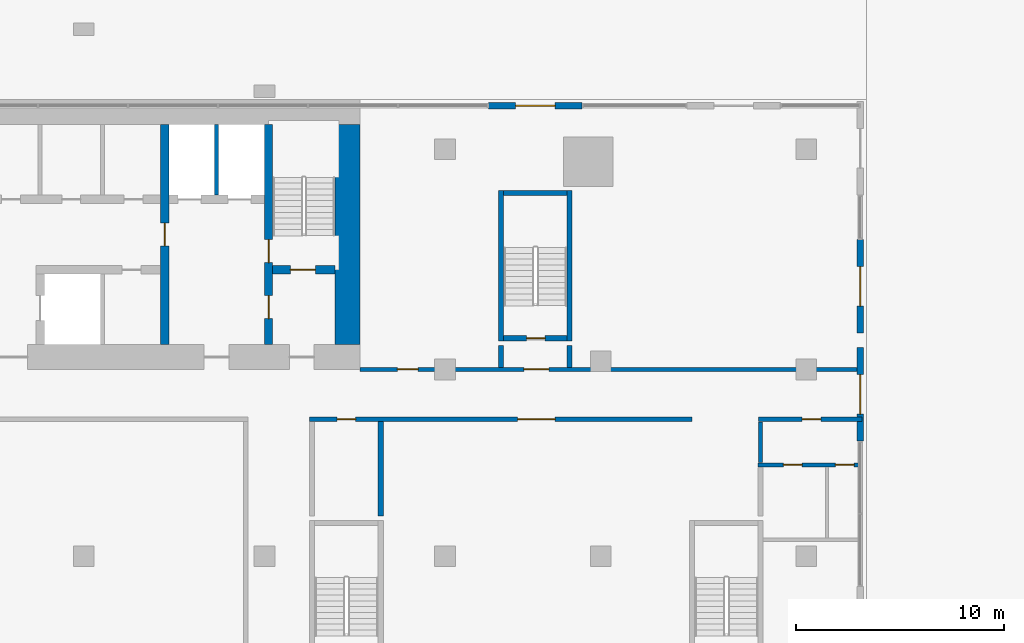
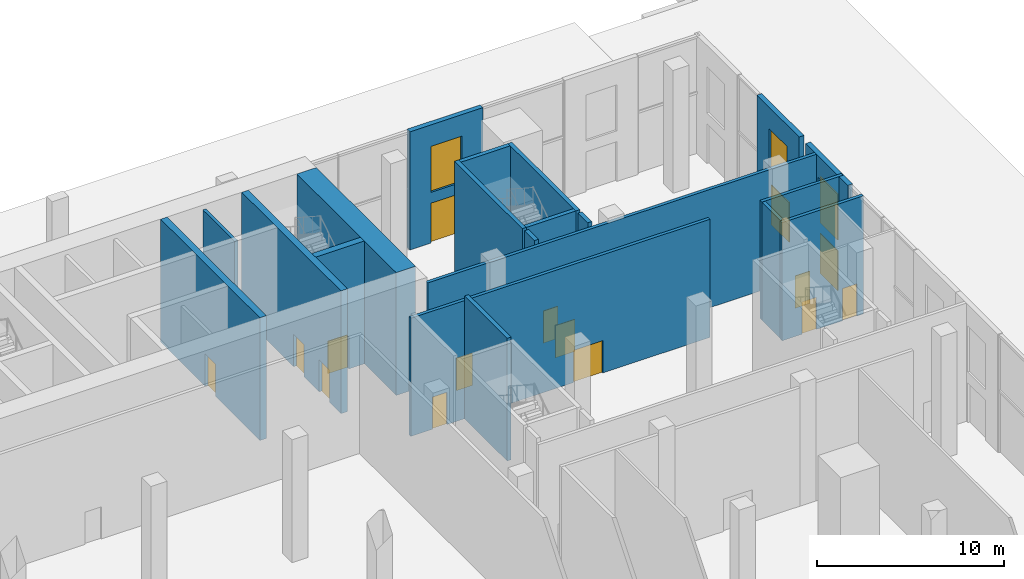
# One storey, part 26 of 31: 20 walls, 15 doors, 3 windows, 18 openings.
"""IFC4 building model written with IfcOpenShell, lengths in metres."""

from ifc_helpers import new_model, si_unit, direction, frame, frame_2d, origin, place, context, subcontext, project, spatial, rectangle, extrude, material, layer, layer_set, layer_usage, type_object, element, fill, save


model = new_model("IFC4")

# Units and contexts
model_context = context("Model", 3, precision=1e-05, world=origin(), true_north=direction((0.0, 1.0)))
body_context = subcontext(model_context, "Body", "Model", "MODEL_VIEW")
ifc_project = project(units=[si_unit("LENGTHUNIT", "METRE"), si_unit("AREAUNIT", "SQUARE_METRE"), si_unit("VOLUMEUNIT", "CUBIC_METRE"), si_unit("PLANEANGLEUNIT", "RADIAN"), si_unit("MASSUNIT", "GRAM", prefix="KILO")], contexts=[model_context])

# Site, building, storey
site_placement = place(None, origin())
site = spatial("IfcSite", under=ifc_project, at=site_placement, CompositionType="ELEMENT")
building_placement = place(site_placement, origin())
building = spatial("IfcBuilding", under=site, at=building_placement, Name="Bicima Exchange Tower", CompositionType="ELEMENT")
storey_placement = place(building_placement, origin())
storey = spatial("IfcBuildingStorey", under=building, at=storey_placement, Name="L00", CompositionType="ELEMENT", Elevation=0.0)

# Wall, openings, window, door
ifc_material_1 = material(Name="Concrete C40/50", Category="concrete")
ifc_layer_1 = layer(ifc_material_1, 0.3)
ifc_layer_set_1 = layer_set([ifc_layer_1], Name="Concrete C40/50")
ifc_layer_usage = layer_usage(ifc_layer_set_1, "AXIS2", "POSITIVE", -0.15)
wall_type_1 = type_object("IfcWallType", Name="Entrance frame wall 300", PredefinedType="STANDARD", material=ifc_layer_set_1)
wall_1_placement = place(storey_placement, frame((46.10009765625, -11.949951171875, 0.0), z_axis=(0.0, 0.0, 1.0), x_axis=(0.0, -1.0, 0.0)))
wall_1 = element("IfcWall", 1, at=wall_1_placement, inside=storey, type_object=wall_type_1, material=ifc_layer_usage, Name="Entrance frame wall L00 east 7", PredefinedType="STANDARD", context=body_context, shape_type="SweptSolid", body=[
    extrude(rectangle(XDim=4.5, YDim=0.300048828125, at=frame_2d((2.25, 0.0))), origin(), (0.0, 0.0, 1.0), 7.699951171875),
])
opening_1_placement = place(wall_1_placement, frame((1.300048828125, 0.0, 0.0)))
opening_1 = element("IfcOpeningElement", 2, at=opening_1_placement, cuts=wall_1, Name="Opening DX2", PredefinedType="OPENING", context=body_context, shape_type="SweptSolid", body=[
    extrude(rectangle(XDim=1.89990234375, YDim=2.60009765625, at=frame_2d((0.949951171875, 1.300048828125))), frame((0.0, 0.162109375, 0.0), z_axis=(0.0, -1.0, 0.0), x_axis=(1.0, 0.0, 0.0)), (0.0, 0.0, 1.0), 0.323974609375),
])
opening_2_placement = place(wall_1_placement, frame((1.300048828125, 0.0, 3.300048828125)))
opening_2 = element("IfcOpeningElement", 3, at=opening_2_placement, cuts=wall_1, Name="Opening WX1", PredefinedType="OPENING", context=body_context, shape_type="SweptSolid", body=[
    extrude(rectangle(XDim=1.89990234375, YDim=3.0, at=frame_2d((0.949951171875, 1.5))), frame((0.0, 0.162109375, 0.0), z_axis=(0.0, -1.0, 0.0), x_axis=(1.0, 0.0, 0.0)), (0.0, 0.0, 1.0), 0.323974609375),
])
ifc_material_2 = material(Name="Clear low-iron glass", Category="glass")
window_type = type_object("IfcWindowType", Name="Entrance transom light 1900 x 3000", PartitioningType="SINGLE_PANEL", PredefinedType="WINDOW", material=ifc_material_2)
window_1_placement = place(opening_2_placement, origin())
window_1 = element("IfcWindow", 4, at=window_1_placement, inside=storey, type_object=window_type, Name="Entrance transom light L00 east 7", OverallHeight=3.0, OverallWidth=1.89990234375, PartitioningType="SINGLE_PANEL", PredefinedType="WINDOW", context=body_context, shape_type="SweptSolid", body=[
    extrude(rectangle(XDim=1.89990234375, YDim=3.0, at=frame_2d((0.949951171875, 1.5))), frame((0.0, 0.030029296875, 0.0), z_axis=(0.0, -1.0, 0.0), x_axis=(1.0, 0.0, 0.0)), (0.0, 0.0, 1.0), 0.06005859375),
])
fill(opening_2, window_1)
ifc_material_3 = material(Name="Anodised bronze aluminium and bonded safety glass", Category="aluminium")
door_type_1 = type_object("IfcDoorType", Name="Exit door, double leaf 1900 x 2600", OperationType="DOUBLE_DOOR_DOUBLE_SWING", PredefinedType="DOOR", material=ifc_material_3)
door_1_placement = place(opening_1_placement, origin())
door_1 = element("IfcDoor", 5, at=door_1_placement, inside=storey, type_object=door_type_1, Name="Exit door L00 east 7", OperationType="SINGLE_SWING_LEFT", OverallHeight=2.60009765625, OverallWidth=1.89990234375, PredefinedType="DOOR", context=body_context, shape_type="SweptSolid", body=[
    extrude(rectangle(XDim=1.89990234375, YDim=2.60009765625, at=frame_2d((0.949951171875, 1.300048828125))), frame((0.0, 0.02490234375, 0.0), z_axis=(0.0, -1.0, 0.0), x_axis=(1.0, 0.0, 0.0)), (0.0, 0.0, 1.0), 0.050048828125),
])
fill(opening_1, door_1)

wall_2_placement = place(storey_placement, frame((46.10009765625, -6.75, 0.0), z_axis=(0.0, 0.0, 1.0), x_axis=(0.0, -1.0, 0.0)))
wall_2 = element("IfcWall", 6, at=wall_2_placement, inside=storey, type_object=wall_type_1, material=ifc_layer_usage, Name="Entrance frame wall L00 east 8", PredefinedType="STANDARD", context=body_context, shape_type="SweptSolid", body=[
    extrude(rectangle(XDim=4.5, YDim=0.300048828125, at=frame_2d((2.25, 0.0))), origin(), (0.0, 0.0, 1.0), 7.699951171875),
])
opening_3_placement = place(wall_2_placement, frame((1.300048828125, 0.0, 0.0)))
opening_3 = element("IfcOpeningElement", 7, at=opening_3_placement, cuts=wall_2, Name="Opening DX2", PredefinedType="OPENING", context=body_context, shape_type="SweptSolid", body=[
    extrude(rectangle(XDim=1.89990234375, YDim=2.60009765625, at=frame_2d((0.949951171875, 1.300048828125))), frame((0.0, 0.162109375, 0.0), z_axis=(0.0, -1.0, 0.0), x_axis=(1.0, 0.0, 0.0)), (0.0, 0.0, 1.0), 0.323974609375),
])
opening_4_placement = place(wall_2_placement, frame((1.300048828125, 0.0, 3.300048828125)))
opening_4 = element("IfcOpeningElement", 8, at=opening_4_placement, cuts=wall_2, Name="Opening WX1", PredefinedType="OPENING", context=body_context, shape_type="SweptSolid", body=[
    extrude(rectangle(XDim=1.89990234375, YDim=3.0, at=frame_2d((0.949951171875, 1.5))), frame((0.0, 0.162109375, 0.0), z_axis=(0.0, -1.0, 0.0), x_axis=(1.0, 0.0, 0.0)), (0.0, 0.0, 1.0), 0.323974609375),
])
window_2_placement = place(opening_4_placement, origin())
window_2 = element("IfcWindow", 9, at=window_2_placement, inside=storey, type_object=window_type, Name="Entrance transom light L00 east 8", OverallHeight=3.0, OverallWidth=1.89990234375, PartitioningType="SINGLE_PANEL", PredefinedType="WINDOW", context=body_context, shape_type="SweptSolid", body=[
    extrude(rectangle(XDim=1.89990234375, YDim=3.0, at=frame_2d((0.949951171875, 1.5))), frame((0.0, 0.030029296875, 0.0), z_axis=(0.0, -1.0, 0.0), x_axis=(1.0, 0.0, 0.0)), (0.0, 0.0, 1.0), 0.06005859375),
])
fill(opening_4, window_2)
door_2_placement = place(opening_3_placement, origin())
door_2 = element("IfcDoor", 10, at=door_2_placement, inside=storey, type_object=door_type_1, Name="Exit door L00 east 8", OperationType="SINGLE_SWING_LEFT", OverallHeight=2.60009765625, OverallWidth=1.89990234375, PredefinedType="DOOR", context=body_context, shape_type="SweptSolid", body=[
    extrude(rectangle(XDim=1.89990234375, YDim=2.60009765625, at=frame_2d((0.949951171875, 1.300048828125))), frame((0.0, 0.02490234375, 0.0), z_axis=(0.0, -1.0, 0.0), x_axis=(1.0, 0.0, 0.0)), (0.0, 0.0, 1.0), 0.050048828125),
])
fill(opening_3, door_2)

wall_3_placement = place(storey_placement, frame((28.199951171875, -0.300048828125, 0.0), z_axis=(0.0, 0.0, 1.0), x_axis=(1.0, 0.0, 0.0)))
wall_3 = element("IfcWall", 11, at=wall_3_placement, inside=storey, type_object=wall_type_1, material=ifc_layer_usage, Name="Entrance frame wall L00 north 4", PredefinedType="STANDARD", context=body_context, shape_type="SweptSolid", body=[
    extrude(rectangle(XDim=4.5, YDim=0.300048828125, at=frame_2d((2.25, 0.0))), origin(), (0.0, 0.0, 1.0), 7.699951171875),
])
opening_5_placement = place(wall_3_placement, frame((1.300048828125, 0.0, 0.0)))
opening_5 = element("IfcOpeningElement", 12, at=opening_5_placement, cuts=wall_3, Name="Opening DX2", PredefinedType="OPENING", context=body_context, shape_type="SweptSolid", body=[
    extrude(rectangle(XDim=1.89990234375, YDim=2.60009765625, at=frame_2d((0.949951171875, 1.300048828125))), frame((0.0, 0.162109375, 0.0), z_axis=(0.0, -1.0, 0.0), x_axis=(1.0, 0.0, 0.0)), (0.0, 0.0, 1.0), 0.323974609375),
])
opening_6_placement = place(wall_3_placement, frame((1.300048828125, 0.0, 3.300048828125)))
opening_6 = element("IfcOpeningElement", 13, at=opening_6_placement, cuts=wall_3, Name="Opening WX1", PredefinedType="OPENING", context=body_context, shape_type="SweptSolid", body=[
    extrude(rectangle(XDim=1.89990234375, YDim=3.0, at=frame_2d((0.949951171875, 1.5))), frame((0.0, 0.162109375, 0.0), z_axis=(0.0, -1.0, 0.0), x_axis=(1.0, 0.0, 0.0)), (0.0, 0.0, 1.0), 0.323974609375),
])
window_3_placement = place(opening_6_placement, origin())
window_3 = element("IfcWindow", 14, at=window_3_placement, inside=storey, type_object=window_type, Name="Entrance transom light L00 north 4", OverallHeight=3.0, OverallWidth=1.89990234375, PartitioningType="SINGLE_PANEL", PredefinedType="WINDOW", context=body_context, shape_type="SweptSolid", body=[
    extrude(rectangle(XDim=1.89990234375, YDim=3.0, at=frame_2d((0.949951171875, 1.5))), frame((0.0, 0.030029296875, 0.0), z_axis=(0.0, -1.0, 0.0), x_axis=(1.0, 0.0, 0.0)), (0.0, 0.0, 1.0), 0.06005859375),
])
fill(opening_6, window_3)
door_3_placement = place(opening_5_placement, origin())
door_3 = element("IfcDoor", 15, at=door_3_placement, inside=storey, type_object=door_type_1, Name="Exit door L00 north 4", OperationType="SINGLE_SWING_LEFT", OverallHeight=2.60009765625, OverallWidth=1.89990234375, PredefinedType="DOOR", context=body_context, shape_type="SweptSolid", body=[
    extrude(rectangle(XDim=1.89990234375, YDim=2.60009765625, at=frame_2d((0.949951171875, 1.300048828125))), frame((0.0, 0.02490234375, 0.0), z_axis=(0.0, -1.0, 0.0), x_axis=(1.0, 0.0, 0.0)), (0.0, 0.0, 1.0), 0.050048828125),
])
fill(opening_5, door_3)

# Wall
ifc_material_4 = material(Name="Gypsum board partition")
ifc_layer_2 = layer(ifc_material_4, 0.199951171875)
ifc_layer_set_2 = layer_set([ifc_layer_2], Name="Gypsum board partition")
wall_type_2 = type_object("IfcWallType", Name="Fire-rated gypsum partition 200 EI120", PredefinedType="PARTITIONING", material=ifc_layer_set_2)
wall_4_placement = place(storey_placement, frame((15.10009765625, -4.60009765625, 0.0), z_axis=(0.0, 0.0, 1.0), x_axis=(0.0, 1.0, 0.0)))
element("IfcWall", 16, at=wall_4_placement, inside=storey, type_object=wall_type_2, Name="partition wall 24", PredefinedType="PARTITIONING", context=body_context, shape_type="SweptSolid", body=[
    extrude(rectangle(XDim=3.400146484375, YDim=0.199951171875, at=frame_2d((1.7001953125, 0.0))), origin(), (0.0, 0.0, 1.0), 7.699951171875),
])

# Wall, openings, doors
ifc_layer_3 = layer(ifc_material_4, 0.199951171875)
ifc_layer_set_3 = layer_set([ifc_layer_3], Name="Gypsum board partition")
wall_type_3 = type_object("IfcWallType", Name="Fire-rated gypsum partition 200 EI60", PredefinedType="PARTITIONING", material=ifc_layer_set_3)
wall_5_placement = place(storey_placement, frame((41.175048828125, -17.60009765625, 0.0), z_axis=(0.0, 0.0, 1.0), x_axis=(1.0, 0.0, 0.0)))
wall_5 = element("IfcWall", 17, at=wall_5_placement, inside=storey, type_object=wall_type_3, Name="partition wall 16", PredefinedType="PARTITIONING", context=body_context, shape_type="SweptSolid", body=[
    extrude(rectangle(XDim=5.014892578125, YDim=0.199951171875, at=frame_2d((2.50732421875, 0.0))), origin(), (0.0, 0.0, 1.0), 7.699951171875),
])
opening_7_placement = place(wall_5_placement, frame((1.22509765625, 0.0, 0.0)))
opening_7 = element("IfcOpeningElement", 18, at=opening_7_placement, cuts=wall_5, Name="Opening L00-035", PredefinedType="OPENING", context=body_context, shape_type="SweptSolid", body=[
    extrude(rectangle(XDim=0.89990234375, YDim=2.10009765625, at=frame_2d((0.449951171875, 1.050048828125))), frame((0.0, 0.11181640625, 0.0), z_axis=(0.0, -1.0, 0.0), x_axis=(1.0, 0.0, 0.0)), (0.0, 0.0, 1.0), 0.223876953125),
])
opening_8_placement = place(wall_5_placement, frame((3.72509765625, 0.0, 0.0)))
opening_8 = element("IfcOpeningElement", 19, at=opening_8_placement, cuts=wall_5, Name="Opening L00-036", PredefinedType="OPENING", context=body_context, shape_type="SweptSolid", body=[
    extrude(rectangle(XDim=0.89990234375, YDim=2.10009765625, at=frame_2d((0.449951171875, 1.050048828125))), frame((0.0, 0.11181640625, 0.0), z_axis=(0.0, -1.0, 0.0), x_axis=(1.0, 0.0, 0.0)), (0.0, 0.0, 1.0), 0.223876953125),
])
ifc_material_5 = material(Name="Steel fire door leaf", Category="steel")
door_type_2 = type_object("IfcDoorType", Name="Door 900 swing FD30S", OperationType="SINGLE_SWING_LEFT", PredefinedType="DOOR", material=ifc_material_5)
door_4_placement = place(opening_7_placement, frame((0.89990234375, 0.0, 0.0), z_axis=(0.0, 0.0, 1.0), x_axis=(-1.0, 0.0, 0.0)))
door_4 = element("IfcDoor", 20, at=door_4_placement, inside=storey, type_object=door_type_2, Name="Door", OperationType="SINGLE_SWING_RIGHT", OverallHeight=2.10009765625, OverallWidth=0.89990234375, PredefinedType="DOOR", context=body_context, shape_type="SweptSolid", body=[
    extrude(rectangle(XDim=0.89990234375, YDim=2.10009765625, at=frame_2d((0.449951171875, 1.050048828125))), frame((0.0, 0.02490234375, 0.0), z_axis=(0.0, -1.0, 0.0), x_axis=(1.0, 0.0, 0.0)), (0.0, 0.0, 1.0), 0.050048828125),
])
fill(opening_7, door_4)
door_5_placement = place(opening_8_placement, frame((0.89990234375, 0.0, 0.0), z_axis=(0.0, 0.0, 1.0), x_axis=(-1.0, 0.0, 0.0)))
door_5 = element("IfcDoor", 21, at=door_5_placement, inside=storey, type_object=door_type_2, Name="Door", OperationType="SINGLE_SWING_RIGHT", OverallHeight=2.10009765625, OverallWidth=0.89990234375, PredefinedType="DOOR", context=body_context, shape_type="SweptSolid", body=[
    extrude(rectangle(XDim=0.89990234375, YDim=2.10009765625, at=frame_2d((0.449951171875, 1.050048828125))), frame((0.0, 0.02490234375, 0.0), z_axis=(0.0, -1.0, 0.0), x_axis=(1.0, 0.0, 0.0)), (0.0, 0.0, 1.0), 0.050048828125),
])
fill(opening_8, door_5)

wall_6_placement = place(storey_placement, frame((19.574951171875, -15.39990234375, 0.0), z_axis=(0.0, 0.0, 1.0), x_axis=(1.0, 0.0, 0.0)))
wall_6 = element("IfcWall", 22, at=wall_6_placement, inside=storey, type_object=wall_type_3, Name="partition wall 19", PredefinedType="PARTITIONING", context=body_context, shape_type="SweptSolid", body=[
    extrude(rectangle(XDim=18.425048828125, YDim=0.199951171875, at=frame_2d((9.21240234375, 0.0))), origin(), (0.0, 0.0, 1.0), 7.699951171875),
])
opening_9_placement = place(wall_6_placement, frame((1.324951171875, 0.0, 0.0)))
opening_9 = element("IfcOpeningElement", 23, at=opening_9_placement, cuts=wall_6, Name="Opening L00-028", PredefinedType="OPENING", context=body_context, shape_type="SweptSolid", body=[
    extrude(rectangle(XDim=0.89990234375, YDim=2.10009765625, at=frame_2d((0.449951171875, 1.050048828125))), frame((0.0, 0.11181640625, 0.0), z_axis=(0.0, -1.0, 0.0), x_axis=(1.0, 0.0, 0.0)), (0.0, 0.0, 1.0), 0.223876953125),
])
opening_10_placement = place(wall_6_placement, frame((10.02490234375, 0.0, 0.0)))
opening_10 = element("IfcOpeningElement", 24, at=opening_10_placement, cuts=wall_6, Name="Opening L00-030", PredefinedType="OPENING", context=body_context, shape_type="SweptSolid", body=[
    extrude(rectangle(XDim=1.800048828125, YDim=2.10009765625, at=frame_2d((0.89990234375, 1.050048828125))), frame((0.0, 0.11181640625, 0.0), z_axis=(0.0, -1.0, 0.0), x_axis=(1.0, 0.0, 0.0)), (0.0, 0.0, 1.0), 0.223876953125),
])
door_type_3 = type_object("IfcDoorType", Name="Door 1800 double swing FD30S", OperationType="DOUBLE_DOOR_SINGLE_SWING", PredefinedType="DOOR", material=ifc_material_5)
door_6_placement = place(opening_10_placement, origin())
door_6 = element("IfcDoor", 25, at=door_6_placement, inside=storey, type_object=door_type_3, Name="Door", OperationType="SINGLE_SWING_LEFT", OverallHeight=2.10009765625, OverallWidth=1.800048828125, PredefinedType="DOOR", context=body_context, shape_type="SweptSolid", body=[
    extrude(rectangle(XDim=1.800048828125, YDim=2.10009765625, at=frame_2d((0.89990234375, 1.050048828125))), frame((0.0, 0.02490234375, 0.0), z_axis=(0.0, -1.0, 0.0), x_axis=(1.0, 0.0, 0.0)), (0.0, 0.0, 1.0), 0.050048828125),
])
fill(opening_10, door_6)
door_7_placement = place(opening_9_placement, frame((0.89990234375, 0.0, 0.0), z_axis=(0.0, 0.0, 1.0), x_axis=(-1.0, 0.0, 0.0)))
door_7 = element("IfcDoor", 26, at=door_7_placement, inside=storey, type_object=door_type_2, Name="Door", OperationType="SINGLE_SWING_LEFT", OverallHeight=2.10009765625, OverallWidth=0.89990234375, PredefinedType="DOOR", context=body_context, shape_type="SweptSolid", body=[
    extrude(rectangle(XDim=0.89990234375, YDim=2.10009765625, at=frame_2d((0.449951171875, 1.050048828125))), frame((0.0, 0.02490234375, 0.0), z_axis=(0.0, -1.0, 0.0), x_axis=(1.0, 0.0, 0.0)), (0.0, 0.0, 1.0), 0.050048828125),
])
fill(opening_9, door_7)

# Wall, opening, door
wall_7_placement = place(storey_placement, frame((41.199951171875, -15.39990234375, 0.0), z_axis=(0.0, 0.0, 1.0), x_axis=(1.0, 0.0, 0.0)))
wall_7 = element("IfcWall", 27, at=wall_7_placement, inside=storey, type_object=wall_type_3, Name="partition wall 20", PredefinedType="PARTITIONING", context=body_context, shape_type="SweptSolid", body=[
    extrude(rectangle(XDim=4.989990234375, YDim=0.199951171875, at=frame_2d((2.4951171875, 0.0))), origin(), (0.0, 0.0, 1.0), 7.699951171875),
])
opening_11_placement = place(wall_7_placement, frame((2.10009765625, 0.0, 0.0)))
opening_11 = element("IfcOpeningElement", 28, at=opening_11_placement, cuts=wall_7, Name="Opening L00-034", PredefinedType="OPENING", context=body_context, shape_type="SweptSolid", body=[
    extrude(rectangle(XDim=0.89990234375, YDim=2.10009765625, at=frame_2d((0.449951171875, 1.050048828125))), frame((0.0, 0.11181640625, 0.0), z_axis=(0.0, -1.0, 0.0), x_axis=(1.0, 0.0, 0.0)), (0.0, 0.0, 1.0), 0.223876953125),
])
door_8_placement = place(opening_11_placement, frame((0.89990234375, 0.0, 0.0), z_axis=(0.0, 0.0, 1.0), x_axis=(-1.0, 0.0, 0.0)))
door_8 = element("IfcDoor", 29, at=door_8_placement, inside=storey, type_object=door_type_2, Name="Door", OperationType="SINGLE_SWING_LEFT", OverallHeight=2.10009765625, OverallWidth=0.89990234375, PredefinedType="DOOR", context=body_context, shape_type="SweptSolid", body=[
    extrude(rectangle(XDim=0.89990234375, YDim=2.10009765625, at=frame_2d((0.449951171875, 1.050048828125))), frame((0.0, 0.02490234375, 0.0), z_axis=(0.0, -1.0, 0.0), x_axis=(1.0, 0.0, 0.0)), (0.0, 0.0, 1.0), 0.050048828125),
])
fill(opening_11, door_8)

# Wall, openings, doors
wall_8_placement = place(storey_placement, frame((22.0, -13.0, 0.0), z_axis=(0.0, 0.0, 1.0), x_axis=(1.0, 0.0, 0.0)))
wall_8 = element("IfcWall", 30, at=wall_8_placement, inside=storey, type_object=wall_type_3, Name="partition wall 22", PredefinedType="PARTITIONING", context=body_context, shape_type="SweptSolid", body=[
    extrude(rectangle(XDim=24.18994140625, YDim=0.199951171875, at=frame_2d((12.094970703125, 0.0))), origin(), (0.0, 0.0, 1.0), 7.699951171875),
])
opening_12_placement = place(wall_8_placement, frame((7.89990234375, 0.0, 0.0)))
opening_12 = element("IfcOpeningElement", 31, at=opening_12_placement, cuts=wall_8, Name="Opening L00-011", PredefinedType="OPENING", context=body_context, shape_type="SweptSolid", body=[
    extrude(rectangle(XDim=1.199951171875, YDim=2.10009765625, at=frame_2d((0.60009765625, 1.050048828125))), frame((0.0, 0.11181640625, 0.0), z_axis=(0.0, -1.0, 0.0), x_axis=(1.0, 0.0, 0.0)), (0.0, 0.0, 1.0), 0.223876953125),
])
opening_13_placement = place(wall_8_placement, frame((1.800048828125, 0.0, 0.0)))
opening_13 = element("IfcOpeningElement", 32, at=opening_13_placement, cuts=wall_8, Name="Opening L00-017", PredefinedType="OPENING", context=body_context, shape_type="SweptSolid", body=[
    extrude(rectangle(XDim=1.0, YDim=2.10009765625, at=frame_2d((0.5, 1.050048828125))), frame((0.0, 0.11181640625, 0.0), z_axis=(0.0, -1.0, 0.0), x_axis=(1.0, 0.0, 0.0)), (0.0, 0.0, 1.0), 0.223876953125),
])
door_type_4 = type_object("IfcDoorType", Name="Door 1000 swing FD30S", OperationType="SINGLE_SWING_LEFT", PredefinedType="DOOR", material=ifc_material_5)
door_9_placement = place(opening_13_placement, origin())
door_9 = element("IfcDoor", 33, at=door_9_placement, inside=storey, type_object=door_type_4, Name="Door", OperationType="SINGLE_SWING_LEFT", OverallHeight=2.10009765625, OverallWidth=1.0, PredefinedType="DOOR", context=body_context, shape_type="SweptSolid", body=[
    extrude(rectangle(XDim=1.0, YDim=2.10009765625, at=frame_2d((0.5, 1.050048828125))), frame((0.0, 0.02490234375, 0.0), z_axis=(0.0, -1.0, 0.0), x_axis=(1.0, 0.0, 0.0)), (0.0, 0.0, 1.0), 0.050048828125),
])
fill(opening_13, door_9)
door_type_5 = type_object("IfcDoorType", Name="Door 1200 swing FD30S", OperationType="SINGLE_SWING_LEFT", PredefinedType="DOOR", material=ifc_material_5)
door_10_placement = place(opening_12_placement, origin())
door_10 = element("IfcDoor", 34, at=door_10_placement, inside=storey, type_object=door_type_5, Name="Door", OperationType="SINGLE_SWING_LEFT", OverallHeight=2.10009765625, OverallWidth=1.199951171875, PredefinedType="DOOR", context=body_context, shape_type="SweptSolid", body=[
    extrude(rectangle(XDim=1.199951171875, YDim=2.10009765625, at=frame_2d((0.60009765625, 1.050048828125))), frame((0.0, 0.02490234375, 0.0), z_axis=(0.0, -1.0, 0.0), x_axis=(1.0, 0.0, 0.0)), (0.0, 0.0, 1.0), 0.050048828125),
])
fill(opening_12, door_10)

# Walls
wall_9_placement = place(storey_placement, frame((41.300048828125, -17.47998046875, 0.0), z_axis=(0.0, 0.0, 1.0), x_axis=(0.0, 1.0, 0.0)))
element("IfcWall", 35, at=wall_9_placement, inside=storey, type_object=wall_type_3, Name="partition wall 55", PredefinedType="PARTITIONING", context=body_context, shape_type="SweptSolid", body=[
    extrude(rectangle(XDim=1.9599609375, YDim=0.199951171875, at=frame_2d((0.97998046875, 0.0))), origin(), (0.0, 0.0, 1.0), 7.699951171875),
])
ifc_material_6 = material(Name="Concrete C60/75", Category="concrete")
ifc_layer_4 = layer(ifc_material_6, 1.199951171875)
ifc_layer_set_4 = layer_set([ifc_layer_4], Name="Concrete C60/75")
wall_type_4 = type_object("IfcWallType", Name="RC core wall 1200 C60/75", PredefinedType="SHEAR", material=ifc_layer_set_4)
wall_10_placement = place(storey_placement, frame((21.39990234375, -11.800048828125, 0.0), z_axis=(0.0, 0.0, 1.0), x_axis=(0.0, 1.0, 0.0)))
element("IfcWall", 36, at=wall_10_placement, inside=storey, type_object=wall_type_4, Name="Core wall east", PredefinedType="SHEAR", context=body_context, shape_type="SweptSolid", body=[
    extrude(rectangle(XDim=10.60009765625, YDim=1.199951171875, at=frame_2d((5.300048828125, 0.0))), origin(), (0.0, 0.0, 1.0), 8.0),
])
ifc_material_7 = material(Name="Concrete C50/60", Category="concrete")
ifc_layer_5 = layer(ifc_material_7, 0.25)
ifc_layer_set_5 = layer_set([ifc_layer_5], Name="Concrete C50/60")
wall_type_5 = type_object("IfcWallType", Name="RC core wall 250 C50/60", PredefinedType="SHEAR", material=ifc_layer_set_5)
wall_11_placement = place(storey_placement, frame((23.0, -20.050048828125, 0.0), z_axis=(0.0, 0.0, 1.0), x_axis=(0.0, 1.0, 0.0)))
element("IfcWall", 37, at=wall_11_placement, inside=storey, type_object=wall_type_5, Name="stair wall 49", PredefinedType="SHEAR", context=body_context, shape_type="SweptSolid", body=[
    extrude(rectangle(XDim=4.550048828125, YDim=0.25, at=frame_2d((2.27490234375, 0.0))), origin(), (0.0, 0.0, 1.0), 8.0),
])
for number, where, z_axis, x_axis, name in (
    (38, (28.800048828125, -12.89990234375, 0.0), (0.0, 0.0, 1.0), (0.0, 1.0, 0.0), "stair wall 50"),
    (39, (32.10009765625, -12.89990234375, 0.0), (0.0, 0.0, 1.0), (0.0, 1.0, 0.0), "stair wall 51"),
):
    element("IfcWall", number, at=place(storey_placement, frame(where, z_axis=z_axis, x_axis=x_axis)), inside=storey, type_object=wall_type_5, Name=name, PredefinedType="SHEAR", context=body_context, shape_type="SweptSolid", body=[
        extrude(rectangle(XDim=1.0498046875, YDim=0.25, at=frame_2d((0.52490234375, 0.0))), origin(), (0.0, 0.0, 1.0), 8.0),
    ])

# Wall, opening, door
ifc_layer_6 = layer(ifc_material_7, 0.39990234375)
ifc_layer_set_6 = layer_set([ifc_layer_6], Name="Concrete C50/60")
wall_type_6 = type_object("IfcWallType", Name="RC core wall 400 C50/60", PredefinedType="SHEAR", material=ifc_layer_set_6)
wall_12_placement = place(storey_placement, frame((17.800048828125, -8.199951171875, 0.0), z_axis=(0.0, 0.0, 1.0), x_axis=(1.0, 0.0, 0.0)))
wall_12 = element("IfcWall", 40, at=wall_12_placement, inside=storey, type_object=wall_type_6, Name="stair wall 5", PredefinedType="SHEAR", context=body_context, shape_type="SweptSolid", body=[
    extrude(rectangle(XDim=3.0, YDim=0.39990234375, at=frame_2d((1.5, 0.0))), origin(), (0.0, 0.0, 1.0), 8.0),
])
opening_14_placement = place(wall_12_placement, frame((0.85009765625, 0.0, 0.0)))
opening_14 = element("IfcOpeningElement", 41, at=opening_14_placement, cuts=wall_12, Name="Opening L00-C04", PredefinedType="OPENING", context=body_context, shape_type="SweptSolid", body=[
    extrude(rectangle(XDim=1.199951171875, YDim=2.10009765625, at=frame_2d((0.60009765625, 1.050048828125))), frame((0.0, 0.2119140625, 0.0), z_axis=(0.0, -1.0, 0.0), x_axis=(1.0, 0.0, 0.0)), (0.0, 0.0, 1.0), 0.423828125),
])
door_type_6 = type_object("IfcDoorType", Name="Door 1200 swing FD60S", OperationType="SINGLE_SWING_LEFT", PredefinedType="DOOR", material=ifc_material_5)
door_11_placement = place(opening_14_placement, origin())
door_11 = element("IfcDoor", 42, at=door_11_placement, inside=storey, type_object=door_type_6, Name="Core door", OperationType="SINGLE_SWING_RIGHT", OverallHeight=2.10009765625, OverallWidth=1.199951171875, PredefinedType="DOOR", context=body_context, shape_type="SweptSolid", body=[
    extrude(rectangle(XDim=1.199951171875, YDim=2.10009765625, at=frame_2d((0.60009765625, 1.050048828125))), frame((0.0, 0.02490234375, 0.0), z_axis=(0.0, -1.0, 0.0), x_axis=(1.0, 0.0, 0.0)), (0.0, 0.0, 1.0), 0.050048828125),
])
fill(opening_14, door_11)

# Wall, openings, doors
wall_13_placement = place(storey_placement, frame((17.60009765625, -11.800048828125, 0.0), z_axis=(0.0, 0.0, 1.0), x_axis=(0.0, 1.0, 0.0)))
wall_13 = element("IfcWall", 43, at=wall_13_placement, inside=storey, type_object=wall_type_6, Name="stair wall 25", PredefinedType="SHEAR", context=body_context, shape_type="SweptSolid", body=[
    extrude(rectangle(XDim=10.60009765625, YDim=0.39990234375, at=frame_2d((5.300048828125, 0.0))), origin(), (0.0, 0.0, 1.0), 8.0),
])
opening_15_placement = place(wall_13_placement, frame((1.25, 0.0, 0.0)))
opening_15 = element("IfcOpeningElement", 44, at=opening_15_placement, cuts=wall_13, Name="Opening L00-C05", PredefinedType="OPENING", context=body_context, shape_type="SweptSolid", body=[
    extrude(rectangle(XDim=1.10009765625, YDim=2.10009765625, at=frame_2d((0.550048828125, 1.050048828125))), frame((0.0, 0.2119140625, 0.0), z_axis=(0.0, -1.0, 0.0), x_axis=(1.0, 0.0, 0.0)), (0.0, 0.0, 1.0), 0.423828125),
])
opening_16_placement = place(wall_13_placement, frame((3.949951171875, 0.0, 0.0)))
opening_16 = element("IfcOpeningElement", 45, at=opening_16_placement, cuts=wall_13, Name="Opening L00-C08", PredefinedType="OPENING", context=body_context, shape_type="SweptSolid", body=[
    extrude(rectangle(XDim=1.10009765625, YDim=2.10009765625, at=frame_2d((0.550048828125, 1.050048828125))), frame((0.0, 0.2119140625, 0.0), z_axis=(0.0, -1.0, 0.0), x_axis=(1.0, 0.0, 0.0)), (0.0, 0.0, 1.0), 0.423828125),
])
door_type_7 = type_object("IfcDoorType", Name="Door 1100 swing FD60S", OperationType="SINGLE_SWING_LEFT", PredefinedType="DOOR", material=ifc_material_5)
door_12_placement = place(opening_15_placement, origin())
door_12 = element("IfcDoor", 46, at=door_12_placement, inside=storey, type_object=door_type_7, Name="Core door", OperationType="SINGLE_SWING_LEFT", OverallHeight=2.10009765625, OverallWidth=1.10009765625, PredefinedType="DOOR", context=body_context, shape_type="SweptSolid", body=[
    extrude(rectangle(XDim=1.10009765625, YDim=2.10009765625, at=frame_2d((0.550048828125, 1.050048828125))), frame((0.0, 0.02490234375, 0.0), z_axis=(0.0, -1.0, 0.0), x_axis=(1.0, 0.0, 0.0)), (0.0, 0.0, 1.0), 0.050048828125),
])
fill(opening_15, door_12)
door_13_placement = place(opening_16_placement, origin())
door_13 = element("IfcDoor", 47, at=door_13_placement, inside=storey, type_object=door_type_7, Name="Core door", OperationType="SINGLE_SWING_RIGHT", OverallHeight=2.10009765625, OverallWidth=1.10009765625, PredefinedType="DOOR", context=body_context, shape_type="SweptSolid", body=[
    extrude(rectangle(XDim=1.10009765625, YDim=2.10009765625, at=frame_2d((0.550048828125, 1.050048828125))), frame((0.0, 0.02490234375, 0.0), z_axis=(0.0, -1.0, 0.0), x_axis=(1.0, 0.0, 0.0)), (0.0, 0.0, 1.0), 0.050048828125),
])
fill(opening_16, door_13)

# Wall, opening, door
ifc_layer_7 = layer(ifc_material_6, 0.39990234375)
ifc_layer_set_7 = layer_set([ifc_layer_7], Name="Concrete C60/75")
wall_type_7 = type_object("IfcWallType", Name="RC core wall 400 C60/75", PredefinedType="SHEAR", material=ifc_layer_set_7)
wall_14_placement = place(storey_placement, frame((12.60009765625, -11.800048828125, 0.0), z_axis=(0.0, 0.0, 1.0), x_axis=(0.0, 1.0, 0.0)))
wall_14 = element("IfcWall", 48, at=wall_14_placement, inside=storey, type_object=wall_type_7, Name="shear wall 23", PredefinedType="SHEAR", context=body_context, shape_type="SweptSolid", body=[
    extrude(rectangle(XDim=10.60009765625, YDim=0.39990234375, at=frame_2d((5.300048828125, 0.0))), origin(), (0.0, 0.0, 1.0), 8.0),
])
opening_17_placement = place(wall_14_placement, frame((4.75, 0.0, 0.0)))
opening_17 = element("IfcOpeningElement", 49, at=opening_17_placement, cuts=wall_14, Name="Opening L00-C09", PredefinedType="OPENING", context=body_context, shape_type="SweptSolid", body=[
    extrude(rectangle(XDim=1.10009765625, YDim=2.10009765625, at=frame_2d((0.550048828125, 1.050048828125))), frame((0.0, 0.2119140625, 0.0), z_axis=(0.0, -1.0, 0.0), x_axis=(1.0, 0.0, 0.0)), (0.0, 0.0, 1.0), 0.423828125),
])
door_14_placement = place(opening_17_placement, frame((1.10009765625, 0.0, 0.0), z_axis=(0.0, 0.0, 1.0), x_axis=(-1.0, 0.0, 0.0)))
door_14 = element("IfcDoor", 50, at=door_14_placement, inside=storey, type_object=door_type_7, Name="Core door", OperationType="SINGLE_SWING_RIGHT", OverallHeight=2.10009765625, OverallWidth=1.10009765625, PredefinedType="DOOR", context=body_context, shape_type="SweptSolid", body=[
    extrude(rectangle(XDim=1.10009765625, YDim=2.10009765625, at=frame_2d((0.550048828125, 1.050048828125))), frame((0.0, 0.02490234375, 0.0), z_axis=(0.0, -1.0, 0.0), x_axis=(1.0, 0.0, 0.0)), (0.0, 0.0, 1.0), 0.050048828125),
])
fill(opening_17, door_14)

# Walls
ifc_layer_8 = layer(ifc_material_7, 0.25)
ifc_layer_set_8 = layer_set([ifc_layer_8], Name="Concrete C50/60")
wall_type_8 = type_object("IfcWallType", Name="RC stair enclosure wall 250 C50/60", PredefinedType="SHEAR", material=ifc_layer_set_8)
for number, where, z_axis, x_axis, name in (
    (51, (28.800048828125, -11.625, 0.0), (0.0, 0.0, 1.0), (0.0, 1.0, 0.0), "East end exit stair wall W"),
    (52, (32.10009765625, -11.625, 0.0), (0.0, 0.0, 1.0), (0.0, 1.0, 0.0), "East end exit stair wall E"),
):
    element("IfcWall", number, at=place(storey_placement, frame(where, z_axis=z_axis, x_axis=x_axis)), inside=storey, type_object=wall_type_8, Name=name, PredefinedType="SHEAR", context=body_context, shape_type="SweptSolid", body=[
        extrude(rectangle(XDim=7.25, YDim=0.25, at=frame_2d((3.625, 0.0))), origin(), (0.0, 0.0, 1.0), 8.0),
    ])

# Wall, opening, door
wall_15_placement = place(storey_placement, frame((28.925048828125, -11.5, 0.0), z_axis=(0.0, 0.0, 1.0), x_axis=(1.0, 0.0, 0.0)))
wall_15 = element("IfcWall", 53, at=wall_15_placement, inside=storey, type_object=wall_type_8, Name="East end exit stair wall S", PredefinedType="SHEAR", context=body_context, shape_type="SweptSolid", body=[
    extrude(rectangle(XDim=3.050048828125, YDim=0.25, at=frame_2d((1.52490234375, 0.0))), origin(), (0.0, 0.0, 1.0), 8.0),
])
opening_18_placement = place(wall_15_placement, frame((1.10009765625, 0.0, 0.0)))
opening_18 = element("IfcOpeningElement", 54, at=opening_18_placement, cuts=wall_15, Name="Opening L00-012", PredefinedType="OPENING", context=body_context, shape_type="SweptSolid", body=[
    extrude(rectangle(XDim=0.89990234375, YDim=2.10009765625, at=frame_2d((0.449951171875, 1.050048828125))), frame((0.0, 0.136962890625, 0.0), z_axis=(0.0, -1.0, 0.0), x_axis=(1.0, 0.0, 0.0)), (0.0, 0.0, 1.0), 0.27392578125),
])
door_type_8 = type_object("IfcDoorType", Name="Door 900 swing FD60S", OperationType="SINGLE_SWING_LEFT", PredefinedType="DOOR", material=ifc_material_5)
door_15_placement = place(opening_18_placement, origin())
door_15 = element("IfcDoor", 55, at=door_15_placement, inside=storey, type_object=door_type_8, Name="Door", OperationType="SINGLE_SWING_RIGHT", OverallHeight=2.10009765625, OverallWidth=0.89990234375, PredefinedType="DOOR", context=body_context, shape_type="SweptSolid", body=[
    extrude(rectangle(XDim=0.89990234375, YDim=2.10009765625, at=frame_2d((0.449951171875, 1.050048828125))), frame((0.0, 0.02490234375, 0.0), z_axis=(0.0, -1.0, 0.0), x_axis=(1.0, 0.0, 0.0)), (0.0, 0.0, 1.0), 0.050048828125),
])
fill(opening_18, door_15)

# Wall
wall_16_placement = place(storey_placement, frame((28.925048828125, -4.5, 0.0), z_axis=(0.0, 0.0, 1.0), x_axis=(1.0, 0.0, 0.0)))
element("IfcWall", 56, at=wall_16_placement, inside=storey, type_object=wall_type_8, Name="East end exit stair wall N", PredefinedType="SHEAR", context=body_context, shape_type="SweptSolid", body=[
    extrude(rectangle(XDim=3.050048828125, YDim=0.25, at=frame_2d((1.52490234375, 0.0))), origin(), (0.0, 0.0, 1.0), 8.0),
])

save(model, "model.ifc")
